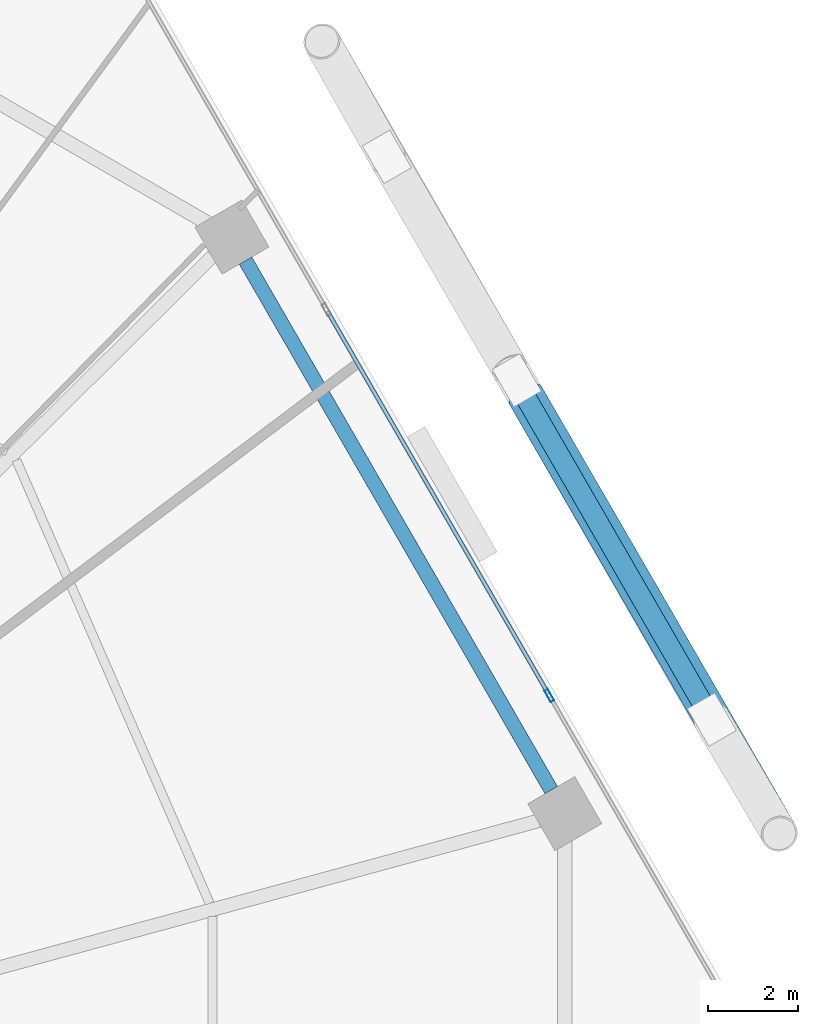
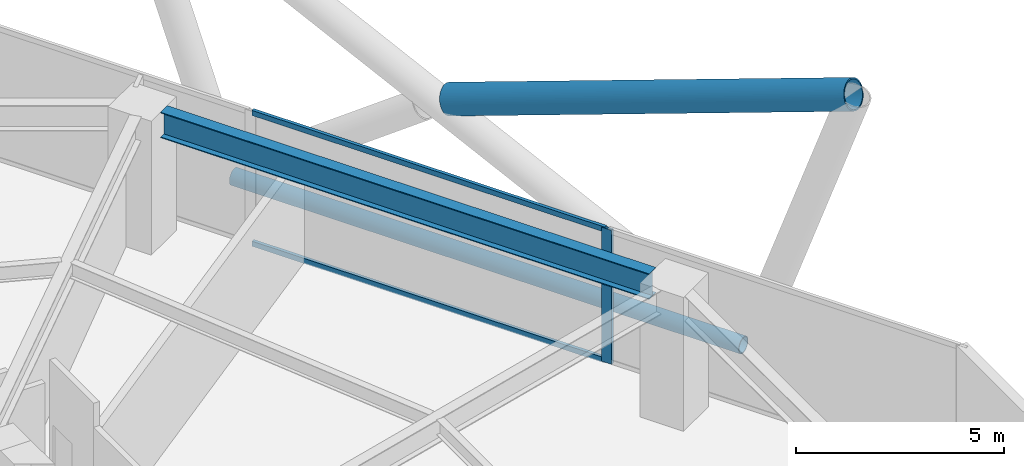
# One storey, part 19 of 30: 5 members, 1 beam, 1 element without a shape of its own.
"""IFC4 building model written with IfcOpenShell, lengths in metres."""

from ifc_helpers import new_model, si_unit, direction, frame, origin, origin_2d, place, context, subcontext, project, spatial, hollow_rectangle, hollow_circle, i_section, extrude, material, material_profile, profile_set, type_object, element, aggregate, save


model = new_model("IFC4")

# Units and contexts
model_context = context("Model", 3, precision=1e-05, world=origin(), true_north=direction((0.0, 1.0)))
body_context = subcontext(model_context, "Body", "Model", "MODEL_VIEW")
ifc_project = project(units=[si_unit("LENGTHUNIT", "METRE"), si_unit("AREAUNIT", "SQUARE_METRE"), si_unit("VOLUMEUNIT", "CUBIC_METRE"), si_unit("PLANEANGLEUNIT", "RADIAN"), si_unit("MASSUNIT", "GRAM", prefix="KILO")], contexts=[model_context])

# Site, building, storey
site_placement = place(None, origin())
site = spatial("IfcSite", under=ifc_project, at=site_placement, CompositionType="ELEMENT")
building_placement = place(site_placement, origin())
building = spatial("IfcBuilding", under=site, at=building_placement, Name="Zuhravey Tower", CompositionType="ELEMENT")
storey_placement = place(building_placement, frame((0.0, 0.0, 33.0)))
storey = spatial("IfcBuildingStorey", under=building, at=storey_placement, Name="L08", CompositionType="ELEMENT", Elevation=33.0)

# Curtain wall, members
ifc_material_1 = material(Name="Thermally broken anodised aluminium", Category="aluminium")
curtain_wall_type = type_object("IfcCurtainWallType", Name="School Low-E Unitised Curtain Wall CW1", PredefinedType="NOTDEFINED", material=ifc_material_1)
curtain_wall_placement = place(storey_placement, origin())
curtain_wall = element("IfcCurtainWall", 1, at=curtain_wall_placement, inside=storey, type_object=curtain_wall_type, Name="L08 CW1 CW-L08-F1-1", PredefinedType="NOTDEFINED")
ifc_material_2 = material(Name="Anodised aluminium", Category="aluminium")
ifc_material_profile_1 = material_profile(ifc_material_2, hollow_rectangle(XDim=0.090087890625, YDim=0.284912109375, WallThickness=0.0048828125, at=origin_2d()), Name="ALU-RHS-90x285x5")
ifc_profile_set_1 = profile_set([ifc_material_profile_1], Name="Anodised aluminium")
member_type_1 = type_object("IfcMemberType", Name="Curtain-Wall Mullion 90x180", PredefinedType="MULLION", material=ifc_profile_set_1)
member_1_placement = place(storey_placement, frame((63.54541015625, 42.20703125, 0.0), z_axis=(0.0, 0.0, 1.0), x_axis=(0.86602552265, 0.499999794119, 0.0)))
member_1 = element("IfcMember", 2, at=member_1_placement, type_object=member_type_1, Name="CW1 mullion 3", PredefinedType="MULLION", context=body_context, shape_type="SweptSolid", body=[
    extrude(hollow_rectangle(XDim=0.090087890625, YDim=0.284912109375, WallThickness=0.0048828125, at=origin_2d()), origin(), (0.0, 0.0, 1.0), 3.919921875),
])
ifc_material_profile_2 = material_profile(ifc_material_2, hollow_rectangle(XDim=0.090087890625, YDim=0.14990234375, WallThickness=0.0048828125, at=origin_2d()), Name="ALU-RHS-90x150x5")
ifc_profile_set_2 = profile_set([ifc_material_profile_2], Name="Anodised aluminium")
member_type_2 = type_object("IfcMemberType", Name="Curtain-Wall Transom 90x150", PredefinedType="USERDEFINED", material=ifc_profile_set_2)
member_2_placement = place(storey_placement, frame((58.634765625, 50.712646484375, 0.044921875), z_axis=(0.499990498062, -0.866030889661, 0.0), x_axis=(0.866030889661, 0.499990498062, 0.0)))
member_2 = element("IfcMember", 3, at=member_2_placement, type_object=member_type_2, Name="CW1 transom 2.1", ObjectType="TRANSOM", PredefinedType="USERDEFINED", context=body_context, shape_type="SweptSolid", body=[
    extrude(hollow_rectangle(XDim=0.090087890625, YDim=0.14990234375, WallThickness=0.0048828125, at=origin_2d()), origin(), (0.0, 0.0, 1.0), 9.776611328125),
])
member_3_placement = place(storey_placement, frame((58.634765625, 50.712646484375, 3.875), z_axis=(0.499990498062, -0.866030889661, 0.0), x_axis=(0.866030889661, 0.499990498062, 0.0)))
member_3 = element("IfcMember", 4, at=member_3_placement, type_object=member_type_2, Name="CW1 transom 2.2", ObjectType="TRANSOM", PredefinedType="USERDEFINED", context=body_context, shape_type="SweptSolid", body=[
    extrude(hollow_rectangle(XDim=0.090087890625, YDim=0.14990234375, WallThickness=0.0048828125, at=origin_2d()), origin(), (0.0, 0.0, 1.0), 9.776611328125),
])
aggregate(curtain_wall, [member_1, member_2, member_3])

# Members
ifc_material_3 = material(Name="Steel SM355", Category="steel")
ifc_material_profile_3 = material_profile(ifc_material_3, hollow_circle(Radius=0.228515625, WallThickness=0.02197265625, at=origin_2d()), Name="CHS-457.2x22")
ifc_profile_set_3 = profile_set([ifc_material_profile_3], Name="Steel SM355")
member_type_3 = type_object("IfcMemberType", Name="Exoskeleton Ring Tie CHS457x22", PredefinedType="CHORD", material=ifc_profile_set_3)
member_4_placement = place(storey_placement, frame((67.073974609375, 41.79541015625, -0.493896484375), z_axis=(-0.500008572427, 0.866020454435, 0.0), x_axis=(-0.866020454435, -0.500008572427, 0.0)))
element("IfcMember", 5, at=member_4_placement, inside=storey, type_object=member_type_3, Name="L08 Exoskeleton Face 1 Tie EXR1", PredefinedType="CHORD", context=body_context, shape_type="SweptSolid", body=[
    extrude(hollow_circle(Radius=0.228515625, WallThickness=0.02197265625, at=origin_2d()), origin(), (0.0, 0.0, 1.0), 14.107666015625),
])
ifc_material_4 = material(Name="Steel SM460", Category="steel")
ifc_material_profile_4 = material_profile(ifc_material_4, hollow_circle(Radius=0.406494140625, WallThickness=0.035888671875, at=origin_2d()), Name="CHS-812.8x36")
ifc_profile_set_4 = profile_set([ifc_material_profile_4], Name="Steel SM460")
member_type_4 = type_object("IfcMemberType", Name="Exoskeleton Zone 1 Diagrid CHS813x36", PredefinedType="BRACE", material=ifc_profile_set_4)
member_5_placement = place(storey_placement, frame((63.010986328125, 48.863525390625, 3.8408203125), z_axis=(0.471216049134, -0.813752606712, 0.340238343089), x_axis=(0.865381959658, 0.501112825518, 0.0)))
element("IfcMember", 6, at=member_5_placement, inside=storey, type_object=member_type_4, Name="L08 Face 1 Split Diagrid Brace 3B", PredefinedType="BRACE", context=body_context, shape_type="SweptSolid", body=[
    extrude(hollow_circle(Radius=0.406494140625, WallThickness=0.035888671875, at=origin_2d()), origin(), (0.0, 0.0, 1.0), 11.897705078125),
])

# Beam
ifc_material_profile_5 = material_profile(ifc_material_3, i_section(OverallWidth=0.320068359375, OverallDepth=0.75, WebThickness=0.013916015625, FlangeThickness=0.02490234375, at=origin_2d()), Name="H-750x320x14x25")
ifc_profile_set_5 = profile_set([ifc_material_profile_5], Name="Steel SM355")
beam_type = type_object("IfcBeamType", Name="Perimeter Ring Beam H750x320", PredefinedType="BEAM", material=ifc_profile_set_5)
beam_placement = place(storey_placement, frame((63.587646484375, 40.11376953125, 3.544921875), z_axis=(-0.499999877243, 0.866025474658, 0.0), x_axis=(-0.866025474658, -0.499999877243, 0.0)))
element("IfcBeam", 7, at=beam_placement, inside=storey, type_object=beam_type, Name="L08 PB1 BM-L08-PB-01", PredefinedType="BEAM", context=body_context, shape_type="SweptSolid", body=[
    extrude(i_section(OverallWidth=0.320068359375, OverallDepth=0.75, WebThickness=0.013916015625, FlangeThickness=0.02490234375, at=origin_2d()), origin(), (0.0, 0.0, 1.0), 13.5341796875),
])

save(model, "model.ifc")
